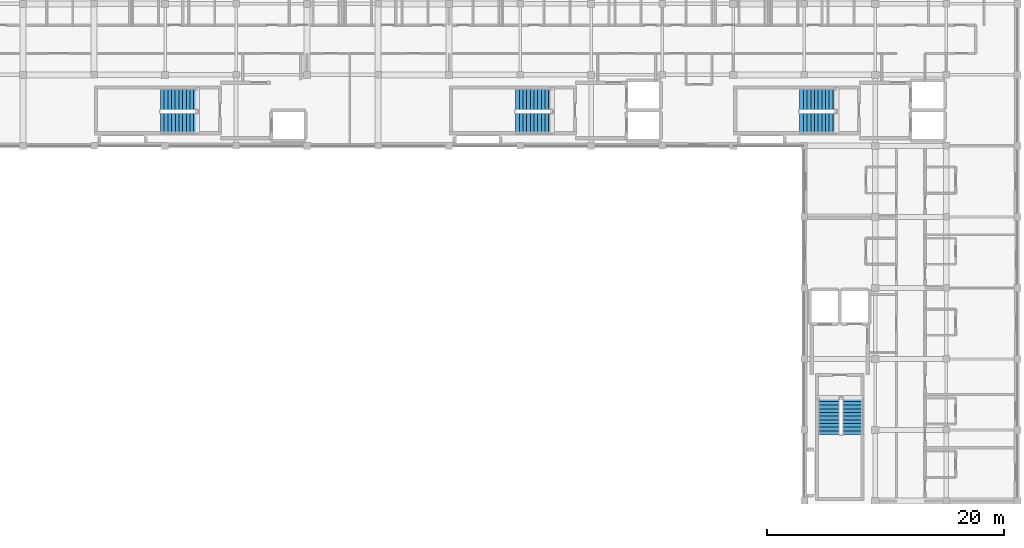
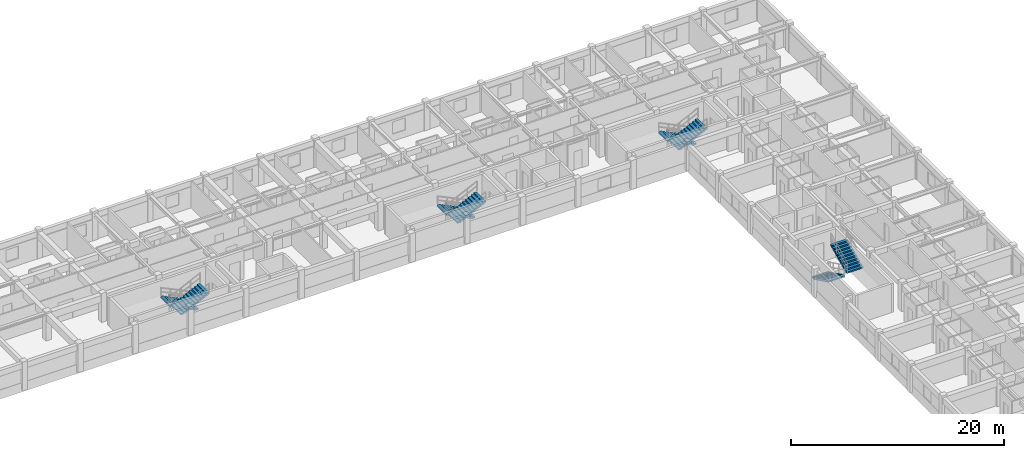
# One storey, part 16 of 21: 8 stair flights, 4 elements without a shape of their own.
"""IFC4 building model written with IfcOpenShell, lengths in metres."""

from ifc_helpers import new_model, si_unit, direction, frame, origin, place, context, subcontext, project, spatial, polyline, outline, extrude, material, type_object, element, aggregate, save


model = new_model("IFC4")

# Units and contexts
model_context = context("Model", 3, precision=1e-05, world=origin(), true_north=direction((0.0, 1.0)))
body_context = subcontext(model_context, "Body", "Model", "MODEL_VIEW")
ifc_project = project(units=[si_unit("LENGTHUNIT", "METRE"), si_unit("AREAUNIT", "SQUARE_METRE"), si_unit("VOLUMEUNIT", "CUBIC_METRE"), si_unit("PLANEANGLEUNIT", "RADIAN"), si_unit("MASSUNIT", "GRAM", prefix="KILO"), si_unit("THERMODYNAMICTEMPERATUREUNIT", "KELVIN"), si_unit("POWERUNIT", "WATT")], contexts=[model_context])

# Site, building, storey
site_placement = place(None, origin())
site = spatial("IfcSite", under=ifc_project, at=site_placement, CompositionType="ELEMENT")
building_placement = place(site_placement, origin())
building = spatial("IfcBuilding", under=site, at=building_placement, Name="Phaisarnlok Congress Hotel", CompositionType="ELEMENT")
storey_placement = place(building_placement, frame((0.0, 0.0, 34.800048828125)))
storey = spatial("IfcBuildingStorey", under=building, at=storey_placement, Name="L08", CompositionType="ELEMENT", Elevation=34.800048828125)

# Stair, stair flights
ifc_material = material(Name="Concrete C40/50", Category="concrete")
stair_type = type_object("IfcStairType", Name="STR-DOG-05", PredefinedType="HALF_TURN_STAIR", material=ifc_material)
stair_1_placement = place(storey_placement, origin())
stair_1 = element("IfcStair", 1, at=stair_1_placement, inside=storey, type_object=stair_type, Name="L08 ST-05", PredefinedType="HALF_TURN_STAIR")
stair_flight_type = type_object("IfcStairFlightType", Name="SFL-RC-05", PredefinedType="STRAIGHT", material=ifc_material)
stair_flight_1_placement = place(storey_placement, frame((164.719970703125, 111.909912109375, 0.0), z_axis=(0.0, 0.0, 1.0), x_axis=(-1.0, 0.0, 0.0)))
stair_flight_1 = element("IfcStairFlight", 2, at=stair_flight_1_placement, type_object=stair_flight_type, Name="ST-05 flight 1", NumberOfRisers=11, NumberOfTreads=10, PredefinedType="STRAIGHT", RiserHeight=0.15, TreadLength=0.31, context=body_context, shape_type="SweptSolid", body=[
    extrude(outline(polyline([(0.0, 0.0), (0.0, 0.14990234375), (0.31005859375, 0.14990234375), (0.31005859375, 0.300048828125), (0.6201171875, 0.300048828125), (0.6201171875, 0.449951171875), (0.929931640625, 0.449951171875), (0.929931640625, 0.60009765625), (1.239990234375, 0.60009765625), (1.239990234375, 0.75), (1.550048828125, 0.75), (1.550048828125, 0.89990234375), (1.860107421875, 0.89990234375), (1.860107421875, 1.050048828125), (2.169921875, 1.050048828125), (2.169921875, 1.199951171875), (2.47998046875, 1.199951171875), (2.47998046875, 1.35009765625), (2.7900390625, 1.35009765625), (2.7900390625, 1.5), (3.10009765625, 1.5), (3.10009765625, 1.64990234375), (3.10009765625, 1.33349609375), (0.34423828125, 0.0), (0.0, 0.0)])), frame((0.0, 0.89013671875, 0.0), z_axis=(0.0, -1.0, 0.0), x_axis=(1.0, 0.0, 0.0)), (0.0, 0.0, 1.0), 1.780029296875),
])
stair_flight_2_placement = place(storey_placement, frame((161.6201171875, 109.889892578125, 1.64990234375), z_axis=(0.0, 0.0, 1.0), x_axis=(1.0, 0.0, 0.0)))
stair_flight_2 = element("IfcStairFlight", 3, at=stair_flight_2_placement, type_object=stair_flight_type, Name="ST-05 flight 2", NumberOfRisers=11, NumberOfTreads=10, PredefinedType="STRAIGHT", RiserHeight=0.15, TreadLength=0.31, context=body_context, shape_type="SweptSolid", body=[
    extrude(outline(polyline([(0.0, 0.0), (0.0, 0.14990234375), (0.31005859375, 0.14990234375), (0.31005859375, 0.300048828125), (0.6201171875, 0.300048828125), (0.6201171875, 0.449951171875), (0.929931640625, 0.449951171875), (0.929931640625, 0.60009765625), (1.239990234375, 0.60009765625), (1.239990234375, 0.75), (1.550048828125, 0.75), (1.550048828125, 0.89990234375), (1.860107421875, 0.89990234375), (1.860107421875, 1.050048828125), (2.169921875, 1.050048828125), (2.169921875, 1.199951171875), (2.47998046875, 1.199951171875), (2.47998046875, 1.35009765625), (2.7900390625, 1.35009765625), (2.7900390625, 1.5), (3.10009765625, 1.5), (3.10009765625, 1.64990234375), (3.10009765625, 1.33349609375), (0.34423828125, 0.0), (0.0, 0.0)])), frame((0.0, 0.89013671875, 0.0), z_axis=(0.0, -1.0, 0.0), x_axis=(1.0, 0.0, 0.0)), (0.0, 0.0, 1.0), 1.780029296875),
])
aggregate(stair_1, [stair_flight_1, stair_flight_2])

stair_2_placement = place(storey_placement, origin())
stair_2 = element("IfcStair", 4, at=stair_2_placement, inside=storey, type_object=stair_type, Name="L08 ST-06", PredefinedType="HALF_TURN_STAIR")
stair_flight_3_placement = place(storey_placement, frame((140.719970703125, 111.909912109375, 0.0), z_axis=(0.0, 0.0, 1.0), x_axis=(-1.0, 0.0, 0.0)))
stair_flight_3 = element("IfcStairFlight", 5, at=stair_flight_3_placement, type_object=stair_flight_type, Name="ST-06 flight 1", NumberOfRisers=11, NumberOfTreads=10, PredefinedType="STRAIGHT", RiserHeight=0.15, TreadLength=0.31, context=body_context, shape_type="SweptSolid", body=[
    extrude(outline(polyline([(0.0, 0.0), (0.0, 0.14990234375), (0.31005859375, 0.14990234375), (0.31005859375, 0.300048828125), (0.6201171875, 0.300048828125), (0.6201171875, 0.449951171875), (0.929931640625, 0.449951171875), (0.929931640625, 0.60009765625), (1.239990234375, 0.60009765625), (1.239990234375, 0.75), (1.550048828125, 0.75), (1.550048828125, 0.89990234375), (1.860107421875, 0.89990234375), (1.860107421875, 1.050048828125), (2.169921875, 1.050048828125), (2.169921875, 1.199951171875), (2.47998046875, 1.199951171875), (2.47998046875, 1.35009765625), (2.7900390625, 1.35009765625), (2.7900390625, 1.5), (3.10009765625, 1.5), (3.10009765625, 1.64990234375), (3.10009765625, 1.33349609375), (0.34423828125, 0.0), (0.0, 0.0)])), frame((0.0, 0.89013671875, 0.0), z_axis=(0.0, -1.0, 0.0), x_axis=(1.0, 0.0, 0.0)), (0.0, 0.0, 1.0), 1.780029296875),
])
stair_flight_4_placement = place(storey_placement, frame((137.6201171875, 109.889892578125, 1.64990234375), z_axis=(0.0, 0.0, 1.0), x_axis=(1.0, 0.0, 0.0)))
stair_flight_4 = element("IfcStairFlight", 6, at=stair_flight_4_placement, type_object=stair_flight_type, Name="ST-06 flight 2", NumberOfRisers=11, NumberOfTreads=10, PredefinedType="STRAIGHT", RiserHeight=0.15, TreadLength=0.31, context=body_context, shape_type="SweptSolid", body=[
    extrude(outline(polyline([(0.0, 0.0), (0.0, 0.14990234375), (0.31005859375, 0.14990234375), (0.31005859375, 0.300048828125), (0.6201171875, 0.300048828125), (0.6201171875, 0.449951171875), (0.929931640625, 0.449951171875), (0.929931640625, 0.60009765625), (1.239990234375, 0.60009765625), (1.239990234375, 0.75), (1.550048828125, 0.75), (1.550048828125, 0.89990234375), (1.860107421875, 0.89990234375), (1.860107421875, 1.050048828125), (2.169921875, 1.050048828125), (2.169921875, 1.199951171875), (2.47998046875, 1.199951171875), (2.47998046875, 1.35009765625), (2.7900390625, 1.35009765625), (2.7900390625, 1.5), (3.10009765625, 1.5), (3.10009765625, 1.64990234375), (3.10009765625, 1.33349609375), (0.34423828125, 0.0), (0.0, 0.0)])), frame((0.0, 0.89013671875, 0.0), z_axis=(0.0, -1.0, 0.0), x_axis=(1.0, 0.0, 0.0)), (0.0, 0.0, 1.0), 1.780029296875),
])
aggregate(stair_2, [stair_flight_3, stair_flight_4])

stair_3_placement = place(storey_placement, origin())
stair_3 = element("IfcStair", 7, at=stair_3_placement, inside=storey, type_object=stair_type, Name="L08 ST-07", PredefinedType="HALF_TURN_STAIR")
stair_flight_5_placement = place(storey_placement, frame((110.719970703125, 111.909912109375, 0.0), z_axis=(0.0, 0.0, 1.0), x_axis=(-1.0, 0.0, 0.0)))
stair_flight_5 = element("IfcStairFlight", 8, at=stair_flight_5_placement, type_object=stair_flight_type, Name="ST-07 flight 1", NumberOfRisers=11, NumberOfTreads=10, PredefinedType="STRAIGHT", RiserHeight=0.15, TreadLength=0.31, context=body_context, shape_type="SweptSolid", body=[
    extrude(outline(polyline([(0.0, 0.0), (0.0, 0.14990234375), (0.31005859375, 0.14990234375), (0.31005859375, 0.300048828125), (0.6201171875, 0.300048828125), (0.6201171875, 0.449951171875), (0.929931640625, 0.449951171875), (0.929931640625, 0.60009765625), (1.239990234375, 0.60009765625), (1.239990234375, 0.75), (1.550048828125, 0.75), (1.550048828125, 0.89990234375), (1.860107421875, 0.89990234375), (1.860107421875, 1.050048828125), (2.169921875, 1.050048828125), (2.169921875, 1.199951171875), (2.47998046875, 1.199951171875), (2.47998046875, 1.35009765625), (2.7900390625, 1.35009765625), (2.7900390625, 1.5), (3.10009765625, 1.5), (3.10009765625, 1.64990234375), (3.10009765625, 1.33349609375), (0.34423828125, 0.0), (0.0, 0.0)])), frame((0.0, 0.89013671875, 0.0), z_axis=(0.0, -1.0, 0.0), x_axis=(1.0, 0.0, 0.0)), (0.0, 0.0, 1.0), 1.780029296875),
])
stair_flight_6_placement = place(storey_placement, frame((107.6201171875, 109.889892578125, 1.64990234375), z_axis=(0.0, 0.0, 1.0), x_axis=(1.0, 0.0, 0.0)))
stair_flight_6 = element("IfcStairFlight", 9, at=stair_flight_6_placement, type_object=stair_flight_type, Name="ST-07 flight 2", NumberOfRisers=11, NumberOfTreads=10, PredefinedType="STRAIGHT", RiserHeight=0.15, TreadLength=0.31, context=body_context, shape_type="SweptSolid", body=[
    extrude(outline(polyline([(0.0, 0.0), (0.0, 0.14990234375), (0.31005859375, 0.14990234375), (0.31005859375, 0.300048828125), (0.6201171875, 0.300048828125), (0.6201171875, 0.449951171875), (0.929931640625, 0.449951171875), (0.929931640625, 0.60009765625), (1.239990234375, 0.60009765625), (1.239990234375, 0.75), (1.550048828125, 0.75), (1.550048828125, 0.89990234375), (1.860107421875, 0.89990234375), (1.860107421875, 1.050048828125), (2.169921875, 1.050048828125), (2.169921875, 1.199951171875), (2.47998046875, 1.199951171875), (2.47998046875, 1.35009765625), (2.7900390625, 1.35009765625), (2.7900390625, 1.5), (3.10009765625, 1.5), (3.10009765625, 1.64990234375), (3.10009765625, 1.33349609375), (0.34423828125, 0.0), (0.0, 0.0)])), frame((0.0, 0.89013671875, 0.0), z_axis=(0.0, -1.0, 0.0), x_axis=(1.0, 0.0, 0.0)), (0.0, 0.0, 1.0), 1.780029296875),
])
aggregate(stair_3, [stair_flight_5, stair_flight_6])

stair_4_placement = place(storey_placement, origin())
stair_4 = element("IfcStair", 10, at=stair_4_placement, inside=storey, type_object=stair_type, Name="L08 ST-09", PredefinedType="HALF_TURN_STAIR")
stair_flight_7_placement = place(storey_placement, frame((164.090087890625, 86.719970703125, 0.0), z_axis=(0.0, 0.0, 1.0), x_axis=(0.0, -1.0, 0.0)))
stair_flight_7 = element("IfcStairFlight", 11, at=stair_flight_7_placement, type_object=stair_flight_type, Name="ST-09 flight 1", NumberOfRisers=11, NumberOfTreads=10, PredefinedType="STRAIGHT", RiserHeight=0.15, TreadLength=0.31, context=body_context, shape_type="SweptSolid", body=[
    extrude(outline(polyline([(0.0, 0.0), (0.0, 0.14990234375), (0.31005859375, 0.14990234375), (0.31005859375, 0.300048828125), (0.6201171875, 0.300048828125), (0.6201171875, 0.449951171875), (0.929931640625, 0.449951171875), (0.929931640625, 0.60009765625), (1.239990234375, 0.60009765625), (1.239990234375, 0.75), (1.550048828125, 0.75), (1.550048828125, 0.89990234375), (1.860107421875, 0.89990234375), (1.860107421875, 1.050048828125), (2.169921875, 1.050048828125), (2.169921875, 1.199951171875), (2.47998046875, 1.199951171875), (2.47998046875, 1.35009765625), (2.7900390625, 1.35009765625), (2.7900390625, 1.5), (3.10009765625, 1.5), (3.10009765625, 1.64990234375), (3.10009765625, 1.33349609375), (0.34423828125, 0.0), (0.0, 0.0)])), frame((0.0, 0.89013671875, 0.0), z_axis=(0.0, -1.0, 0.0), x_axis=(1.0, 0.0, 0.0)), (0.0, 0.0, 1.0), 1.780029296875),
])
stair_flight_8_placement = place(storey_placement, frame((166.110107421875, 83.6201171875, 1.64990234375), z_axis=(0.0, 0.0, 1.0), x_axis=(0.0, 1.0, 0.0)))
stair_flight_8 = element("IfcStairFlight", 12, at=stair_flight_8_placement, type_object=stair_flight_type, Name="ST-09 flight 2", NumberOfRisers=11, NumberOfTreads=10, PredefinedType="STRAIGHT", RiserHeight=0.15, TreadLength=0.31, context=body_context, shape_type="SweptSolid", body=[
    extrude(outline(polyline([(0.0, 0.0), (0.0, 0.14990234375), (0.31005859375, 0.14990234375), (0.31005859375, 0.300048828125), (0.6201171875, 0.300048828125), (0.6201171875, 0.449951171875), (0.929931640625, 0.449951171875), (0.929931640625, 0.60009765625), (1.239990234375, 0.60009765625), (1.239990234375, 0.75), (1.550048828125, 0.75), (1.550048828125, 0.89990234375), (1.860107421875, 0.89990234375), (1.860107421875, 1.050048828125), (2.169921875, 1.050048828125), (2.169921875, 1.199951171875), (2.47998046875, 1.199951171875), (2.47998046875, 1.35009765625), (2.7900390625, 1.35009765625), (2.7900390625, 1.5), (3.10009765625, 1.5), (3.10009765625, 1.64990234375), (3.10009765625, 1.33349609375), (0.34423828125, 0.0), (0.0, 0.0)])), frame((0.0, 0.89013671875, 0.0), z_axis=(0.0, -1.0, 0.0), x_axis=(1.0, 0.0, 0.0)), (0.0, 0.0, 1.0), 1.780029296875),
])
aggregate(stair_4, [stair_flight_7, stair_flight_8])

save(model, "model.ifc")
